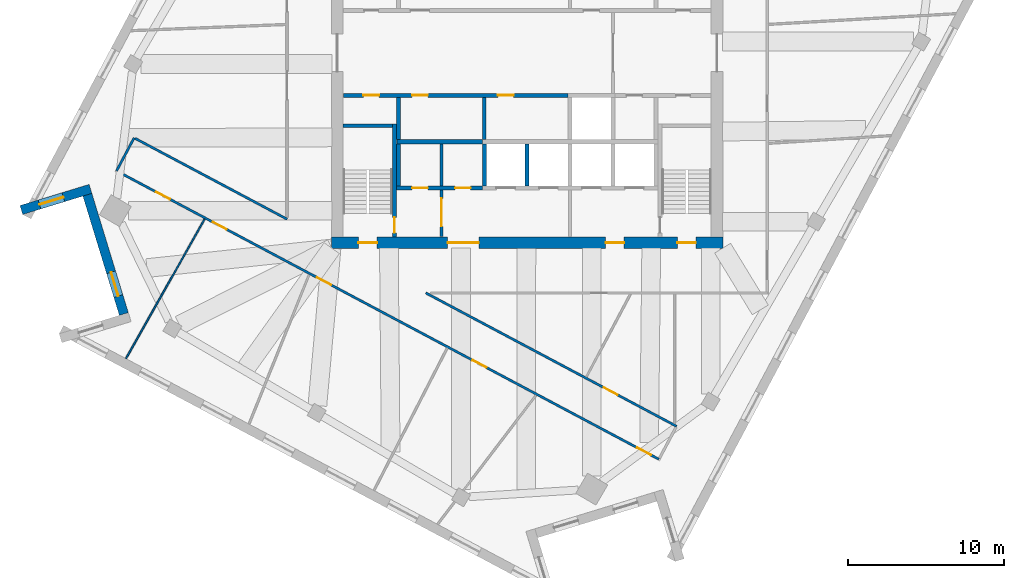
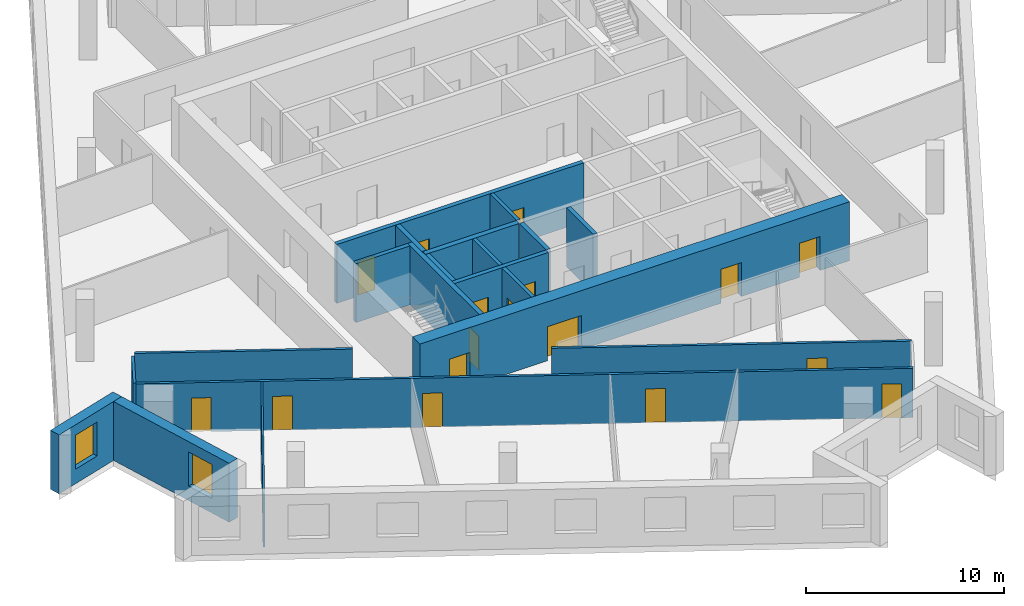
# One storey, part 6 of 13: 20 walls, 17 doors, 2 windows, 19 openings.
"""IFC4 building model written with IfcOpenShell, lengths in metres."""

from ifc_helpers import new_model, si_unit, direction, frame, frame_2d, origin, place, context, subcontext, project, spatial, rectangle, extrude, material, layer, layer_set, type_object, element, fill, save


model = new_model("IFC4")

# Units and contexts
model_context = context("Model", 3, precision=1e-05, world=origin(), true_north=direction((0.0, 1.0)))
body_context = subcontext(model_context, "Body", "Model", "MODEL_VIEW")
ifc_project = project(units=[si_unit("LENGTHUNIT", "METRE"), si_unit("AREAUNIT", "SQUARE_METRE"), si_unit("VOLUMEUNIT", "CUBIC_METRE"), si_unit("PLANEANGLEUNIT", "RADIAN"), si_unit("MASSUNIT", "GRAM", prefix="KILO")], contexts=[model_context])

# Site, building, storey
site_placement = place(None, origin())
site = spatial("IfcSite", under=ifc_project, at=site_placement, CompositionType="ELEMENT")
building_placement = place(site_placement, origin())
building = spatial("IfcBuilding", under=site, at=building_placement, Name="Dilmun Exchange Tower", CompositionType="ELEMENT")
storey_placement = place(building_placement, frame((0.0, 0.0, 274.89990234375)))
storey = spatial("IfcBuildingStorey", under=building, at=storey_placement, Name="L65", CompositionType="ELEMENT", Elevation=274.89990234375)

# Wall, opening, door
ifc_material_1 = material(Name="Concrete C40/50", Category="concrete")
ifc_layer_1 = layer(ifc_material_1, 0.199951171875)
ifc_layer_set_1 = layer_set([ifc_layer_1], Name="Concrete C40/50")
wall_type_1 = type_object("IfcWallType", Name="Core partition wall 200", PredefinedType="PARTITIONING", material=ifc_layer_set_1)
wall_1_placement = place(storey_placement, frame((-5.5, -11.794921875, 0.0), z_axis=(0.0, 0.0, 1.0), x_axis=(0.0, 1.0, 0.0)))
wall_1 = element("IfcWall", 1, at=wall_1_placement, inside=storey, type_object=wall_type_1, Name="L65 core partition wall 01", PredefinedType="PARTITIONING", context=body_context, shape_type="SweptSolid", body=[
    extrude(rectangle(XDim=2.989990234375, YDim=0.199951171875, at=frame_2d((1.4951171875, 0.0))), origin(), (0.0, 0.0, 1.0), 3.64013671875),
])
opening_1_placement = place(wall_1_placement, frame((0.657470703125, 0.0, 0.0)))
opening_1 = element("IfcOpeningElement", 2, at=opening_1_placement, cuts=wall_1, Name="Opening CD5", PredefinedType="OPENING", context=body_context, shape_type="SweptSolid", body=[
    extrude(rectangle(XDim=1.800048828125, YDim=2.10009765625, at=frame_2d((0.89990234375, 1.050048828125))), frame((0.0, 0.10986328125, 0.0), z_axis=(0.0, -1.0, 0.0), x_axis=(1.0, 0.0, 0.0)), (0.0, 0.0, 1.0), 0.219970703125),
])
ifc_material_2 = material(Name="Fire-rated steel door set", Category="steel")
door_type_1 = type_object("IfcDoorType", Name="Stair exit door 1800x2100", OperationType="SINGLE_SWING_LEFT", PredefinedType="DOOR", material=ifc_material_2)
door_1_placement = place(opening_1_placement, origin())
door_1 = element("IfcDoor", 3, at=door_1_placement, inside=storey, type_object=door_type_1, Name="L65 door Service lobby east", OperationType="SINGLE_SWING_LEFT", OverallHeight=2.10009765625, OverallWidth=1.800048828125, PredefinedType="DOOR", context=body_context, shape_type="SweptSolid", body=[
    extrude(rectangle(XDim=1.800048828125, YDim=2.10009765625, at=frame_2d((0.89990234375, 1.050048828125))), frame((0.0, 0.02490234375, 0.0), z_axis=(0.0, -1.0, 0.0), x_axis=(1.0, 0.0, 0.0)), (0.0, 0.0, 1.0), 0.050048828125),
])
fill(opening_1, door_1)

# Walls
for number, where, z_axis, x_axis, name in (
    (4, (-5.5, -8.544921875, 0.0), (0.0, 0.0, 1.0), (0.0, 1.0, 0.0), "L65 core partition wall 05"),
    (5, (-2.75, -5.544921875, 0.0), (0.0, 0.0, 1.0), (0.0, 1.0, 0.0), "L65 core partition wall 08"),
):
    element("IfcWall", number, at=place(storey_placement, frame(where, z_axis=z_axis, x_axis=x_axis)), inside=storey, type_object=wall_type_1, Name=name, PredefinedType="PARTITIONING", context=body_context, shape_type="SweptSolid", body=[
        extrude(rectangle(XDim=2.68994140625, YDim=0.199951171875, at=frame_2d((1.344970703125, 0.0))), origin(), (0.0, 0.0, 1.0), 3.64013671875),
    ])

# Wall, openings, doors
ifc_layer_2 = layer(ifc_material_1, 0.25)
ifc_layer_set_2 = layer_set([ifc_layer_2], Name="Concrete C40/50")
wall_type_2 = type_object("IfcWallType", Name="Core partition wall 250", PredefinedType="PARTITIONING", material=ifc_layer_set_2)
wall_2_placement = place(storey_placement, frame((-8.3701171875, -8.675048828125, 0.0), z_axis=(0.0, 0.0, 1.0), x_axis=(1.0, 0.0, 0.0)))
wall_2 = element("IfcWall", 6, at=wall_2_placement, inside=storey, type_object=wall_type_2, Name="L65 core partition wall 03", PredefinedType="PARTITIONING", context=body_context, shape_type="SweptSolid", body=[
    extrude(rectangle(XDim=5.490234375, YDim=0.25, at=frame_2d((2.7451171875, 0.0))), origin(), (0.0, 0.0, 1.0), 3.64013671875),
])
opening_2_placement = place(wall_2_placement, frame((0.9951171875, 0.0, 0.0)))
opening_2 = element("IfcOpeningElement", 7, at=opening_2_placement, cuts=wall_2, Name="Opening CD4", PredefinedType="OPENING", context=body_context, shape_type="SweptSolid", body=[
    extrude(rectangle(XDim=1.0, YDim=2.10009765625, at=frame_2d((0.5, 1.050048828125))), frame((0.0, 0.135009765625, 0.0), z_axis=(0.0, -1.0, 0.0), x_axis=(1.0, 0.0, 0.0)), (0.0, 0.0, 1.0), 0.27001953125),
])
opening_3_placement = place(wall_2_placement, frame((3.7451171875, 0.0, 0.0)))
opening_3 = element("IfcOpeningElement", 8, at=opening_3_placement, cuts=wall_2, Name="Opening CD4", PredefinedType="OPENING", context=body_context, shape_type="SweptSolid", body=[
    extrude(rectangle(XDim=1.0, YDim=2.10009765625, at=frame_2d((0.5, 1.050048828125))), frame((0.0, 0.135009765625, 0.0), z_axis=(0.0, -1.0, 0.0), x_axis=(1.0, 0.0, 0.0)), (0.0, 0.0, 1.0), 0.27001953125),
])
door_type_2 = type_object("IfcDoorType", Name="Core room door 1000x2100", OperationType="SINGLE_SWING_LEFT", PredefinedType="DOOR", material=ifc_material_2)
door_2_placement = place(opening_2_placement, origin())
door_2 = element("IfcDoor", 9, at=door_2_placement, inside=storey, type_object=door_type_2, Name="L65 door Male WC", OperationType="SINGLE_SWING_RIGHT", OverallHeight=2.10009765625, OverallWidth=1.0, PredefinedType="DOOR", context=body_context, shape_type="SweptSolid", body=[
    extrude(rectangle(XDim=1.0, YDim=2.10009765625, at=frame_2d((0.5, 1.050048828125))), frame((0.0, 0.02490234375, 0.0), z_axis=(0.0, -1.0, 0.0), x_axis=(1.0, 0.0, 0.0)), (0.0, 0.0, 1.0), 0.050048828125),
])
fill(opening_2, door_2)
door_3_placement = place(opening_3_placement, origin())
door_3 = element("IfcDoor", 10, at=door_3_placement, inside=storey, type_object=door_type_2, Name="L65 door Female WC", OperationType="SINGLE_SWING_RIGHT", OverallHeight=2.10009765625, OverallWidth=1.0, PredefinedType="DOOR", context=body_context, shape_type="SweptSolid", body=[
    extrude(rectangle(XDim=1.0, YDim=2.10009765625, at=frame_2d((0.5, 1.050048828125))), frame((0.0, 0.02490234375, 0.0), z_axis=(0.0, -1.0, 0.0), x_axis=(1.0, 0.0, 0.0)), (0.0, 0.0, 1.0), 0.050048828125),
])
fill(opening_3, door_3)

# Walls
for number, where, z_axis, x_axis, name in (
    (11, (-8.25, -8.544921875, 0.0), (0.0, 0.0, 1.0), (0.0, 1.0, 0.0), "L65 core partition wall 04"),
    (12, (-8.25, -5.544921875, 0.0), (0.0, 0.0, 1.0), (0.0, 1.0, 0.0), "L65 core partition wall 07"),
):
    element("IfcWall", number, at=place(storey_placement, frame(where, z_axis=z_axis, x_axis=x_axis)), inside=storey, type_object=wall_type_2, Name=name, PredefinedType="PARTITIONING", context=body_context, shape_type="SweptSolid", body=[
        extrude(rectangle(XDim=2.68994140625, YDim=0.25, at=frame_2d((1.344970703125, 0.0))), origin(), (0.0, 0.0, 1.0), 3.64013671875),
    ])

# Wall, openings, doors
wall_3_placement = place(storey_placement, frame((-11.794921875, -2.72509765625, 0.0), z_axis=(0.0, 0.0, 1.0), x_axis=(1.0, 0.0, 0.0)))
wall_3 = element("IfcWall", 13, at=wall_3_placement, inside=storey, type_object=wall_type_2, Name="L65 core partition wall 10", PredefinedType="PARTITIONING", context=body_context, shape_type="SweptSolid", body=[
    extrude(rectangle(XDim=14.4150390625, YDim=0.25, at=frame_2d((7.20751953125, 0.0))), origin(), (0.0, 0.0, 1.0), 3.64013671875),
])
opening_4_placement = place(wall_3_placement, frame((1.294921875, 0.0, 0.0)))
opening_4 = element("IfcOpeningElement", 14, at=opening_4_placement, cuts=wall_3, Name="Opening CD4", PredefinedType="OPENING", context=body_context, shape_type="SweptSolid", body=[
    extrude(rectangle(XDim=1.0, YDim=2.10009765625, at=frame_2d((0.5, 1.050048828125))), frame((0.0, 0.135009765625, 0.0), z_axis=(0.0, -1.0, 0.0), x_axis=(1.0, 0.0, 0.0)), (0.0, 0.0, 1.0), 0.27001953125),
])
opening_5_placement = place(wall_3_placement, frame((4.419921875, 0.0, 0.0)))
opening_5 = element("IfcOpeningElement", 15, at=opening_5_placement, cuts=wall_3, Name="Opening CD4", PredefinedType="OPENING", context=body_context, shape_type="SweptSolid", body=[
    extrude(rectangle(XDim=1.0, YDim=2.10009765625, at=frame_2d((0.5, 1.050048828125))), frame((0.0, 0.135009765625, 0.0), z_axis=(0.0, -1.0, 0.0), x_axis=(1.0, 0.0, 0.0)), (0.0, 0.0, 1.0), 0.27001953125),
])
opening_6_placement = place(wall_3_placement, frame((9.919921875, 0.0, 0.0)))
opening_6 = element("IfcOpeningElement", 16, at=opening_6_placement, cuts=wall_3, Name="Opening CD4", PredefinedType="OPENING", context=body_context, shape_type="SweptSolid", body=[
    extrude(rectangle(XDim=1.0, YDim=2.10009765625, at=frame_2d((0.5, 1.050048828125))), frame((0.0, 0.135009765625, 0.0), z_axis=(0.0, -1.0, 0.0), x_axis=(1.0, 0.0, 0.0)), (0.0, 0.0, 1.0), 0.27001953125),
])
door_4_placement = place(opening_4_placement, origin())
door_4 = element("IfcDoor", 17, at=door_4_placement, inside=storey, type_object=door_type_2, Name="L65 door Accessible WC", OperationType="SINGLE_SWING_RIGHT", OverallHeight=2.10009765625, OverallWidth=1.0, PredefinedType="DOOR", context=body_context, shape_type="SweptSolid", body=[
    extrude(rectangle(XDim=1.0, YDim=2.10009765625, at=frame_2d((0.5, 1.050048828125))), frame((0.0, 0.02490234375, 0.0), z_axis=(0.0, -1.0, 0.0), x_axis=(1.0, 0.0, 0.0)), (0.0, 0.0, 1.0), 0.050048828125),
])
fill(opening_4, door_4)
door_5_placement = place(opening_5_placement, origin())
door_5 = element("IfcDoor", 18, at=door_5_placement, inside=storey, type_object=door_type_2, Name="L65 door Switch room", OperationType="SINGLE_SWING_RIGHT", OverallHeight=2.10009765625, OverallWidth=1.0, PredefinedType="DOOR", context=body_context, shape_type="SweptSolid", body=[
    extrude(rectangle(XDim=1.0, YDim=2.10009765625, at=frame_2d((0.5, 1.050048828125))), frame((0.0, 0.02490234375, 0.0), z_axis=(0.0, -1.0, 0.0), x_axis=(1.0, 0.0, 0.0)), (0.0, 0.0, 1.0), 0.050048828125),
])
fill(opening_5, door_5)
door_6_placement = place(opening_6_placement, origin())
door_6 = element("IfcDoor", 19, at=door_6_placement, inside=storey, type_object=door_type_2, Name="L65 door Print and mail room", OperationType="SINGLE_SWING_RIGHT", OverallHeight=2.10009765625, OverallWidth=1.0, PredefinedType="DOOR", context=body_context, shape_type="SweptSolid", body=[
    extrude(rectangle(XDim=1.0, YDim=2.10009765625, at=frame_2d((0.5, 1.050048828125))), frame((0.0, 0.02490234375, 0.0), z_axis=(0.0, -1.0, 0.0), x_axis=(1.0, 0.0, 0.0)), (0.0, 0.0, 1.0), 0.050048828125),
])
fill(opening_6, door_6)

# Wall
ifc_layer_3 = layer(ifc_material_1, 0.300048828125)
ifc_layer_set_3 = layer_set([ifc_layer_3], Name="Concrete C40/50")
wall_type_3 = type_object("IfcWallType", Name="Core partition wall 300", PredefinedType="PARTITIONING", material=ifc_layer_set_3)
wall_4_placement = place(storey_placement, frame((-8.35009765625, -5.699951171875, 0.0), z_axis=(0.0, 0.0, 1.0), x_axis=(1.0, 0.0, 0.0)))
element("IfcWall", 20, at=wall_4_placement, inside=storey, type_object=wall_type_3, Name="L65 core partition wall 06", PredefinedType="PARTITIONING", context=body_context, shape_type="SweptSolid", body=[
    extrude(rectangle(XDim=5.47021484375, YDim=0.300048828125, at=frame_2d((2.735107421875, 0.0))), origin(), (0.0, 0.0, 1.0), 3.64013671875),
])

# Wall, openings, doors
ifc_material_3 = material(Name="Concrete C50/60", Category="concrete")
ifc_layer_4 = layer(ifc_material_3, 0.75)
ifc_layer_set_4 = layer_set([ifc_layer_4], Name="Concrete C50/60")
wall_type_4 = type_object("IfcWallType", Name="Core shear wall 750 Concrete C50/60", PredefinedType="SHEAR", material=ifc_layer_set_4)
wall_5_placement = place(storey_placement, frame((-12.550048828125, -12.175048828125, 0.0), z_axis=(0.0, 0.0, 1.0), x_axis=(1.0, 0.0, 0.0)))
wall_5 = element("IfcWall", 21, at=wall_5_placement, inside=storey, type_object=wall_type_4, Name="L65 core shear wall S", PredefinedType="SHEAR", context=body_context, shape_type="SweptSolid", body=[
    extrude(rectangle(XDim=25.10009765625, YDim=0.75, at=frame_2d((12.550048828125, 0.0))), origin(), (0.0, 0.0, 1.0), 3.64013671875),
])
opening_7_placement = place(wall_5_placement, frame((7.449951171875, 0.0, 0.0)))
opening_7 = element("IfcOpeningElement", 22, at=opening_7_placement, cuts=wall_5, Name="Opening CD2", PredefinedType="OPENING", context=body_context, shape_type="SweptSolid", body=[
    extrude(rectangle(XDim=2.0, YDim=2.10009765625, at=frame_2d((1.0, 1.050048828125))), frame((0.0, 0.385009765625, 0.0), z_axis=(0.0, -1.0, 0.0), x_axis=(1.0, 0.0, 0.0)), (0.0, 0.0, 1.0), 0.77001953125),
])
opening_8_placement = place(wall_5_placement, frame((17.574951171875, 0.0, 0.0)))
opening_8 = element("IfcOpeningElement", 23, at=opening_8_placement, cuts=wall_5, Name="Opening CD3", PredefinedType="OPENING", context=body_context, shape_type="SweptSolid", body=[
    extrude(rectangle(XDim=1.199951171875, YDim=2.10009765625, at=frame_2d((0.60009765625, 1.050048828125))), frame((0.0, 0.385009765625, 0.0), z_axis=(0.0, -1.0, 0.0), x_axis=(1.0, 0.0, 0.0)), (0.0, 0.0, 1.0), 0.77001953125),
])
opening_9_placement = place(wall_5_placement, frame((1.72509765625, 0.0, 0.0)))
opening_9 = element("IfcOpeningElement", 24, at=opening_9_placement, cuts=wall_5, Name="Opening CD3", PredefinedType="OPENING", context=body_context, shape_type="SweptSolid", body=[
    extrude(rectangle(XDim=1.199951171875, YDim=2.10009765625, at=frame_2d((0.60009765625, 1.050048828125))), frame((0.0, 0.385009765625, 0.0), z_axis=(0.0, -1.0, 0.0), x_axis=(1.0, 0.0, 0.0)), (0.0, 0.0, 1.0), 0.77001953125),
])
opening_10_placement = place(wall_5_placement, frame((22.175048828125, 0.0, 0.0)))
opening_10 = element("IfcOpeningElement", 25, at=opening_10_placement, cuts=wall_5, Name="Opening CD3", PredefinedType="OPENING", context=body_context, shape_type="SweptSolid", body=[
    extrude(rectangle(XDim=1.199951171875, YDim=2.10009765625, at=frame_2d((0.60009765625, 1.050048828125))), frame((0.0, 0.385009765625, 0.0), z_axis=(0.0, -1.0, 0.0), x_axis=(1.0, 0.0, 0.0)), (0.0, 0.0, 1.0), 0.77001953125),
])
door_type_3 = type_object("IfcDoorType", Name="Core service door 2000x2100", OperationType="DOUBLE_DOOR_DOUBLE_SWING", PredefinedType="DOOR", material=ifc_material_2)
door_7_placement = place(opening_7_placement, origin())
door_7 = element("IfcDoor", 26, at=door_7_placement, inside=storey, type_object=door_type_3, Name="L65 door South service lobby", OperationType="SINGLE_SWING_LEFT", OverallHeight=2.10009765625, OverallWidth=2.0, PredefinedType="DOOR", context=body_context, shape_type="SweptSolid", body=[
    extrude(rectangle(XDim=2.0, YDim=2.10009765625, at=frame_2d((1.0, 1.050048828125))), frame((0.0, 0.02490234375, 0.0), z_axis=(0.0, -1.0, 0.0), x_axis=(1.0, 0.0, 0.0)), (0.0, 0.0, 1.0), 0.050048828125),
])
fill(opening_7, door_7)
door_type_4 = type_object("IfcDoorType", Name="Stair exit door 1200x2100", OperationType="SINGLE_SWING_LEFT", PredefinedType="DOOR", material=ifc_material_2)
door_8_placement = place(opening_8_placement, origin())
door_8 = element("IfcDoor", 27, at=door_8_placement, inside=storey, type_object=door_type_4, Name="L65 door Fire-fighting lobby", OperationType="SINGLE_SWING_LEFT", OverallHeight=2.10009765625, OverallWidth=1.199951171875, PredefinedType="DOOR", context=body_context, shape_type="SweptSolid", body=[
    extrude(rectangle(XDim=1.199951171875, YDim=2.10009765625, at=frame_2d((0.60009765625, 1.050048828125))), frame((0.0, 0.02490234375, 0.0), z_axis=(0.0, -1.0, 0.0), x_axis=(1.0, 0.0, 0.0)), (0.0, 0.0, 1.0), 0.050048828125),
])
fill(opening_8, door_8)
door_9_placement = place(opening_9_placement, origin())
door_9 = element("IfcDoor", 28, at=door_9_placement, inside=storey, type_object=door_type_4, Name="L65 door Stair ST2", OperationType="SINGLE_SWING_LEFT", OverallHeight=2.10009765625, OverallWidth=1.199951171875, PredefinedType="DOOR", context=body_context, shape_type="SweptSolid", body=[
    extrude(rectangle(XDim=1.199951171875, YDim=2.10009765625, at=frame_2d((0.60009765625, 1.050048828125))), frame((0.0, 0.02490234375, 0.0), z_axis=(0.0, -1.0, 0.0), x_axis=(1.0, 0.0, 0.0)), (0.0, 0.0, 1.0), 0.050048828125),
])
fill(opening_9, door_9)
door_10_placement = place(opening_10_placement, origin())
door_10 = element("IfcDoor", 29, at=door_10_placement, inside=storey, type_object=door_type_4, Name="L65 door Stair ST3", OperationType="SINGLE_SWING_LEFT", OverallHeight=2.10009765625, OverallWidth=1.199951171875, PredefinedType="DOOR", context=body_context, shape_type="SweptSolid", body=[
    extrude(rectangle(XDim=1.199951171875, YDim=2.10009765625, at=frame_2d((0.60009765625, 1.050048828125))), frame((0.0, 0.02490234375, 0.0), z_axis=(0.0, -1.0, 0.0), x_axis=(1.0, 0.0, 0.0)), (0.0, 0.0, 1.0), 0.050048828125),
])
fill(opening_10, door_10)

# Wall
ifc_material_4 = material(Name="Corridor wall 150")
ifc_layer_5 = layer(ifc_material_4, 0.14990234375)
ifc_layer_set_5 = layer_set([ifc_layer_5], Name="Corridor wall 150")
wall_type_5 = type_object("IfcWallType", Name="Corridor wall 150", PredefinedType="PARTITIONING", material=ifc_layer_set_5)
wall_6_placement = place(storey_placement, frame((-26.3369140625, -7.571044921875, 0.0), z_axis=(0.0, 0.0, 1.0), x_axis=(0.469531998299, 0.882915456073, 0.0)))
element("IfcWall", 30, at=wall_6_placement, inside=storey, type_object=wall_type_5, Name="Corridor wall", PredefinedType="PARTITIONING", context=body_context, shape_type="SweptSolid", body=[
    extrude(rectangle(XDim=2.400146484375, YDim=0.14990234375, at=frame_2d((1.2001953125, 0.0))), origin(), (0.0, 0.0, 1.0), 3.0400390625),
])

# Wall, openings, doors
wall_7_placement = place(storey_placement, frame((-26.270751953125, -7.606201171875, 0.0), z_axis=(0.0, 0.0, 1.0), x_axis=(0.882946860375, -0.469472940385, 0.0)))
wall_7 = element("IfcWall", 31, at=wall_7_placement, inside=storey, type_object=wall_type_5, Name="Corridor wall", PredefinedType="PARTITIONING", context=body_context, shape_type="SweptSolid", body=[
    extrude(rectangle(XDim=39.32470703125, YDim=0.14990234375, at=frame_2d((19.662353515625, 0.0))), origin(), (0.0, 0.0, 1.0), 3.0400390625),
])
opening_11_placement = place(wall_7_placement, frame((2.800048828125, 0.0, 0.0)))
opening_11 = element("IfcOpeningElement", 32, at=opening_11_placement, cuts=wall_7, Name="Opening TF65-D02", PredefinedType="OPENING", context=body_context, shape_type="SweptSolid", body=[
    extrude(rectangle(XDim=1.0, YDim=2.10009765625, at=frame_2d((0.5, 1.050048828125))), frame((0.0, 0.0849609375, 0.0), z_axis=(0.0, -1.0, 0.0), x_axis=(1.0, 0.0, 0.0)), (0.0, 0.0, 1.0), 0.169921875),
])
opening_12_placement = place(wall_7_placement, frame((6.914794921875, 0.0, 0.0)))
opening_12 = element("IfcOpeningElement", 33, at=opening_12_placement, cuts=wall_7, Name="Opening TF65-D04", PredefinedType="OPENING", context=body_context, shape_type="SweptSolid", body=[
    extrude(rectangle(XDim=1.0, YDim=2.10009765625, at=frame_2d((0.5, 1.050048828125))), frame((0.0, 0.0849609375, 0.0), z_axis=(0.0, -1.0, 0.0), x_axis=(1.0, 0.0, 0.0)), (0.0, 0.0, 1.0), 0.169921875),
])
opening_13_placement = place(wall_7_placement, frame((14.498779296875, 0.0, 0.0)))
opening_13 = element("IfcOpeningElement", 34, at=opening_13_placement, cuts=wall_7, Name="Opening TF65-D05", PredefinedType="OPENING", context=body_context, shape_type="SweptSolid", body=[
    extrude(rectangle(XDim=1.0, YDim=2.10009765625, at=frame_2d((0.5, 1.050048828125))), frame((0.0, 0.0849609375, 0.0), z_axis=(0.0, -1.0, 0.0), x_axis=(1.0, 0.0, 0.0)), (0.0, 0.0, 1.0), 0.169921875),
])
opening_14_placement = place(wall_7_placement, frame((25.784912109375, 0.0, 0.0)))
opening_14 = element("IfcOpeningElement", 35, at=opening_14_placement, cuts=wall_7, Name="Opening TF65-D09", PredefinedType="OPENING", context=body_context, shape_type="SweptSolid", body=[
    extrude(rectangle(XDim=1.0, YDim=2.10009765625, at=frame_2d((0.5, 1.050048828125))), frame((0.0, 0.0849609375, 0.0), z_axis=(0.0, -1.0, 0.0), x_axis=(1.0, 0.0, 0.0)), (0.0, 0.0, 1.0), 0.169921875),
])
opening_15_placement = place(wall_7_placement, frame((37.74072265625, 0.0, 0.0)))
opening_15 = element("IfcOpeningElement", 36, at=opening_15_placement, cuts=wall_7, Name="Opening TF65-D15", PredefinedType="OPENING", context=body_context, shape_type="SweptSolid", body=[
    extrude(rectangle(XDim=1.0, YDim=2.10009765625, at=frame_2d((0.5, 1.050048828125))), frame((0.0, 0.0849609375, 0.0), z_axis=(0.0, -1.0, 0.0), x_axis=(1.0, 0.0, 0.0)), (0.0, 0.0, 1.0), 0.169921875),
])
ifc_material_5 = material(Name="Fire door 1000 x 2100")
door_type_5 = type_object("IfcDoorType", Name="Fire door 1000 x 2100", OperationType="NOTDEFINED", PredefinedType="DOOR", material=ifc_material_5)
door_11_placement = place(opening_11_placement, frame((1.0, 0.0, 0.0), z_axis=(0.0, 0.0, 1.0), x_axis=(-1.0, 0.0, 0.0)))
door_11 = element("IfcDoor", 37, at=door_11_placement, inside=storey, type_object=door_type_5, Name="Door TF65-D02", OperationType="SINGLE_SWING_LEFT", OverallHeight=2.10009765625, OverallWidth=1.0, PredefinedType="DOOR", context=body_context, shape_type="SweptSolid", body=[
    extrude(rectangle(XDim=1.0, YDim=2.10009765625, at=frame_2d((0.5, 1.050048828125))), frame((0.0, 0.02490234375, 0.0), z_axis=(0.0, -1.0, 0.0), x_axis=(1.0, 0.0, 0.0)), (0.0, 0.0, 1.0), 0.050048828125),
])
fill(opening_11, door_11)
door_12_placement = place(opening_12_placement, frame((1.0, 0.0, 0.0), z_axis=(0.0, 0.0, 1.0), x_axis=(-1.0, 0.0, 0.0)))
door_12 = element("IfcDoor", 38, at=door_12_placement, inside=storey, type_object=door_type_5, Name="Door TF65-D04", OperationType="SINGLE_SWING_RIGHT", OverallHeight=2.10009765625, OverallWidth=1.0, PredefinedType="DOOR", context=body_context, shape_type="SweptSolid", body=[
    extrude(rectangle(XDim=1.0, YDim=2.10009765625, at=frame_2d((0.5, 1.050048828125))), frame((0.0, 0.02490234375, 0.0), z_axis=(0.0, -1.0, 0.0), x_axis=(1.0, 0.0, 0.0)), (0.0, 0.0, 1.0), 0.050048828125),
])
fill(opening_12, door_12)
door_13_placement = place(opening_13_placement, frame((1.0, 0.0, 0.0), z_axis=(0.0, 0.0, 1.0), x_axis=(-1.0, 0.0, 0.0)))
door_13 = element("IfcDoor", 39, at=door_13_placement, inside=storey, type_object=door_type_5, Name="Door TF65-D05", OperationType="SINGLE_SWING_RIGHT", OverallHeight=2.10009765625, OverallWidth=1.0, PredefinedType="DOOR", context=body_context, shape_type="SweptSolid", body=[
    extrude(rectangle(XDim=1.0, YDim=2.10009765625, at=frame_2d((0.5, 1.050048828125))), frame((0.0, 0.02490234375, 0.0), z_axis=(0.0, -1.0, 0.0), x_axis=(1.0, 0.0, 0.0)), (0.0, 0.0, 1.0), 0.050048828125),
])
fill(opening_13, door_13)
door_14_placement = place(opening_14_placement, frame((1.0, 0.0, 0.0), z_axis=(0.0, 0.0, 1.0), x_axis=(-1.0, 0.0, 0.0)))
door_14 = element("IfcDoor", 40, at=door_14_placement, inside=storey, type_object=door_type_5, Name="Door TF65-D09", OperationType="SINGLE_SWING_LEFT", OverallHeight=2.10009765625, OverallWidth=1.0, PredefinedType="DOOR", context=body_context, shape_type="SweptSolid", body=[
    extrude(rectangle(XDim=1.0, YDim=2.10009765625, at=frame_2d((0.5, 1.050048828125))), frame((0.0, 0.02490234375, 0.0), z_axis=(0.0, -1.0, 0.0), x_axis=(1.0, 0.0, 0.0)), (0.0, 0.0, 1.0), 0.050048828125),
])
fill(opening_14, door_14)
door_15_placement = place(opening_15_placement, frame((1.0, 0.0, 0.0), z_axis=(0.0, 0.0, 1.0), x_axis=(-1.0, 0.0, 0.0)))
door_15 = element("IfcDoor", 41, at=door_15_placement, inside=storey, type_object=door_type_5, Name="Door TF65-D15", OperationType="SINGLE_SWING_LEFT", OverallHeight=2.10009765625, OverallWidth=1.0, PredefinedType="DOOR", context=body_context, shape_type="SweptSolid", body=[
    extrude(rectangle(XDim=1.0, YDim=2.10009765625, at=frame_2d((0.5, 1.050048828125))), frame((0.0, 0.02490234375, 0.0), z_axis=(0.0, -1.0, 0.0), x_axis=(1.0, 0.0, 0.0)), (0.0, 0.0, 1.0), 0.050048828125),
])
fill(opening_15, door_15)

# Wall
wall_8_placement = place(storey_placement, frame((-25.143798828125, -5.4873046875, 0.0), z_axis=(0.0, 0.0, 1.0), x_axis=(0.882957268676, -0.469453364769, 0.0)))
element("IfcWall", 42, at=wall_8_placement, inside=storey, type_object=wall_type_5, Name="Corridor wall", PredefinedType="PARTITIONING", context=body_context, shape_type="SweptSolid", body=[
    extrude(rectangle(XDim=11.03564453125, YDim=0.14990234375, at=frame_2d((5.517822265625, 0.0))), origin(), (0.0, 0.0, 1.0), 3.239990234375),
])

# Wall, opening, door
wall_9_placement = place(storey_placement, frame((-6.5009765625, -15.39990234375, 0.0), z_axis=(0.0, 0.0, 1.0), x_axis=(0.882952324659, -0.469462663456, 0.0)))
wall_9 = element("IfcWall", 43, at=wall_9_placement, inside=storey, type_object=wall_type_5, Name="Corridor wall", PredefinedType="PARTITIONING", context=body_context, shape_type="SweptSolid", body=[
    extrude(rectangle(XDim=18.21044921875, YDim=0.14990234375, at=frame_2d((9.105224609375, 0.0))), origin(), (0.0, 0.0, 1.0), 3.0400390625),
])
opening_16_placement = place(wall_9_placement, frame((12.923583984375, 0.0, 0.0)))
opening_16 = element("IfcOpeningElement", 44, at=opening_16_placement, cuts=wall_9, Name="Opening TF65-D13", PredefinedType="OPENING", context=body_context, shape_type="SweptSolid", body=[
    extrude(rectangle(XDim=1.0, YDim=2.10009765625, at=frame_2d((0.5, 1.050048828125))), frame((0.0, 0.0849609375, 0.0), z_axis=(0.0, -1.0, 0.0), x_axis=(1.0, 0.0, 0.0)), (0.0, 0.0, 1.0), 0.169921875),
])
door_16_placement = place(opening_16_placement, origin())
door_16 = element("IfcDoor", 45, at=door_16_placement, inside=storey, type_object=door_type_5, Name="Door TF65-D13", OperationType="SINGLE_SWING_RIGHT", OverallHeight=2.10009765625, OverallWidth=1.0, PredefinedType="DOOR", context=body_context, shape_type="SweptSolid", body=[
    extrude(rectangle(XDim=1.0, YDim=2.10009765625, at=frame_2d((0.5, 1.050048828125))), frame((0.0, 0.02490234375, 0.0), z_axis=(0.0, -1.0, 0.0), x_axis=(1.0, 0.0, 0.0)), (0.0, 0.0, 1.0), 0.050048828125),
])
fill(opening_16, door_16)

# Walls
ifc_layer_6 = layer(ifc_material_1, 0.25)
ifc_layer_set_6 = layer_set([ifc_layer_6], Name="Concrete C40/50")
wall_type_6 = type_object("IfcWallType", Name="Lift shaft wall 250", PredefinedType="SOLIDWALL", material=ifc_layer_set_6)
for number, where, z_axis, x_axis, name in (
    (46, (-2.75, -8.550048828125, 0.0), (0.0, 0.0, 1.0), (0.0, 1.0, 0.0), "L65 lift shaft divider S22"),
    (47, (0.0, -8.550048828125, 0.0), (0.0, 0.0, 1.0), (0.0, 1.0, 0.0), "L65 lift shaft divider S23"),
):
    element("IfcWall", number, at=place(storey_placement, frame(where, z_axis=z_axis, x_axis=x_axis)), inside=storey, type_object=wall_type_6, Name=name, PredefinedType="SOLIDWALL", context=body_context, shape_type="SweptSolid", body=[
        extrude(rectangle(XDim=2.699951171875, YDim=0.25, at=frame_2d((1.35009765625, 0.0))), origin(), (0.0, 0.0, 1.0), 3.64013671875),
    ])
ifc_material_6 = material(Name="Partition 100")
ifc_layer_7 = layer(ifc_material_6, 0.10009765625)
ifc_layer_set_7 = layer_set([ifc_layer_7], Name="Partition 100")
wall_type_7 = type_object("IfcWallType", Name="Partition 100", PredefinedType="PARTITIONING", material=ifc_layer_set_7)
wall_10_placement = place(storey_placement, frame((-25.737060546875, -19.610595703125, 0.0), z_axis=(0.0, 0.0, 1.0), x_axis=(0.491415925423, 0.870925018725, 0.0)))
element("IfcWall", 48, at=wall_10_placement, inside=storey, type_object=wall_type_7, Name="Partition", PredefinedType="PARTITIONING", context=body_context, shape_type="SweptSolid", body=[
    extrude(rectangle(XDim=10.275634765625, YDim=0.10009765625, at=frame_2d((5.1376953125, 0.0))), origin(), (0.0, 0.0, 1.0), 3.0400390625),
])

# Wall, opening, window
ifc_material_7 = material(Name="Precast concrete C50/60", Category="concrete")
ifc_layer_8 = layer(ifc_material_7, 0.60009765625)
ifc_layer_set_8 = layer_set([ifc_layer_8], Name="Precast concrete C50/60")
wall_type_8 = type_object("IfcWallType", Name="Precast stone-clad wall 600", PredefinedType="STANDARD", material=ifc_layer_set_8)
wall_11_placement = place(storey_placement, frame((-32.44189453125, -10.080322265625, 0.0), z_axis=(0.0, 0.0, 1.0), x_axis=(0.956306994041, 0.2923643842, 0.0)))
wall_11 = element("IfcWall", 49, at=wall_11_placement, inside=storey, type_object=wall_type_8, Name="Facade wall L65-04", PredefinedType="STANDARD", context=body_context, shape_type="SweptSolid", body=[
    extrude(rectangle(XDim=4.635498046875, YDim=0.60009765625, at=frame_2d((2.31787109375, 0.0))), origin(), (0.0, 0.0, 1.0), 3.64013671875),
])
opening_17_placement = place(wall_11_placement, frame((1.2177734375, 0.0, 0.89990234375)))
opening_17 = element("IfcOpeningElement", 50, at=opening_17_placement, cuts=wall_11, Name="Opening W160-210", PredefinedType="OPENING", context=body_context, shape_type="SweptSolid", body=[
    extrude(rectangle(XDim=1.60009765625, YDim=2.10009765625, at=frame_2d((0.800048828125, 1.050048828125))), frame((0.0, 0.31005859375, 0.0), z_axis=(0.0, -1.0, 0.0), x_axis=(1.0, 0.0, 0.0)), (0.0, 0.0, 1.0), 0.6201171875),
])
ifc_material_8 = material(Name="Clear low-emissivity glass in aluminium frame", Category="aluminium")
window_type = type_object("IfcWindowType", Name="Punched window 1600 x 2100", PartitioningType="DOUBLE_PANEL_VERTICAL", PredefinedType="WINDOW", material=ifc_material_8)
window_1_placement = place(opening_17_placement, origin())
window_1 = element("IfcWindow", 51, at=window_1_placement, inside=storey, type_object=window_type, Name="Window 5.1", OverallHeight=2.10009765625, OverallWidth=1.60009765625, PartitioningType="SINGLE_PANEL", PredefinedType="WINDOW", context=body_context, shape_type="SweptSolid", body=[
    extrude(rectangle(XDim=1.60009765625, YDim=2.10009765625, at=frame_2d((0.800048828125, 1.050048828125))), frame((0.0, 0.030029296875, 0.0), z_axis=(0.0, -1.0, 0.0), x_axis=(1.0, 0.0, 0.0)), (0.0, 0.0, 1.0), 0.06005859375),
])
fill(opening_17, window_1)

wall_12_placement = place(storey_placement, frame((-28.208251953125, -9.099609375, 0.0), z_axis=(0.0, 0.0, 1.0), x_axis=(0.292389102139, -0.956299436866, 0.0)))
wall_12 = element("IfcWall", 52, at=wall_12_placement, inside=storey, type_object=wall_type_8, Name="Facade wall L65-05", PredefinedType="STANDARD", context=body_context, shape_type="SweptSolid", body=[
    extrude(rectangle(XDim=8.0, YDim=0.60009765625, at=frame_2d((4.0, 0.0))), origin(), (0.0, 0.0, 1.0), 3.64013671875),
])
opening_18_placement = place(wall_12_placement, frame((5.199951171875, 0.0, 0.89990234375)))
opening_18 = element("IfcOpeningElement", 53, at=opening_18_placement, cuts=wall_12, Name="Opening W160-210", PredefinedType="OPENING", context=body_context, shape_type="SweptSolid", body=[
    extrude(rectangle(XDim=1.60009765625, YDim=2.10009765625, at=frame_2d((0.800048828125, 1.050048828125))), frame((0.0, 0.31005859375, 0.0), z_axis=(0.0, -1.0, 0.0), x_axis=(1.0, 0.0, 0.0)), (0.0, 0.0, 1.0), 0.6201171875),
])
window_2_placement = place(opening_18_placement, origin())
window_2 = element("IfcWindow", 54, at=window_2_placement, inside=storey, type_object=window_type, Name="Window 6.2", OverallHeight=2.10009765625, OverallWidth=1.60009765625, PartitioningType="SINGLE_PANEL", PredefinedType="WINDOW", context=body_context, shape_type="SweptSolid", body=[
    extrude(rectangle(XDim=1.60009765625, YDim=2.10009765625, at=frame_2d((0.800048828125, 1.050048828125))), frame((0.0, 0.030029296875, 0.0), z_axis=(0.0, -1.0, 0.0), x_axis=(1.0, 0.0, 0.0)), (0.0, 0.0, 1.0), 0.06005859375),
])
fill(opening_18, window_2)

# Wall
ifc_layer_9 = layer(ifc_material_1, 0.25)
ifc_layer_set_9 = layer_set([ifc_layer_9], Name="Concrete C40/50")
wall_type_9 = type_object("IfcWallType", Name="Stair end wall 250", PredefinedType="SOLIDWALL", material=ifc_layer_set_9)
wall_13_placement = place(storey_placement, frame((-8.64990234375, -4.675048828125, 0.0), z_axis=(0.0, 0.0, 1.0), x_axis=(-1.0, 0.0, 0.0)))
element("IfcWall", 55, at=wall_13_placement, inside=storey, type_object=wall_type_9, Name="L65 ST2 far wall", PredefinedType="SOLIDWALL", context=body_context, shape_type="SweptSolid", body=[
    extrude(rectangle(XDim=3.150146484375, YDim=0.25, at=frame_2d((1.5751953125, 0.0))), origin(), (0.0, 0.0, 1.0), 3.64013671875),
])

# Wall, opening, door
ifc_layer_10 = layer(ifc_material_1, 0.27490234375)
ifc_layer_set_10 = layer_set([ifc_layer_10], Name="Concrete C40/50")
wall_type_10 = type_object("IfcWallType", Name="Stair wall 275", PredefinedType="SOLIDWALL", material=ifc_layer_set_10)
wall_14_placement = place(storey_placement, frame((-8.512451171875, -4.550048828125, 0.0), z_axis=(0.0, 0.0, 1.0), x_axis=(0.0, -1.0, 0.0)))
wall_14 = element("IfcWall", 56, at=wall_14_placement, inside=storey, type_object=wall_type_10, Name="L65 ST2 wall to lift block", PredefinedType="SOLIDWALL", context=body_context, shape_type="SweptSolid", body=[
    extrude(rectangle(XDim=7.25, YDim=0.27490234375, at=frame_2d((3.625, 0.0))), origin(), (0.0, 0.0, 1.0), 3.64013671875),
])
opening_19_placement = place(wall_14_placement, frame((6.0, 0.0, 0.0)))
opening_19 = element("IfcOpeningElement", 57, at=opening_19_placement, cuts=wall_14, Name="Opening CD4", PredefinedType="OPENING", context=body_context, shape_type="SweptSolid", body=[
    extrude(rectangle(XDim=1.0, YDim=2.10009765625, at=frame_2d((0.5, 1.050048828125))), frame((0.0, 0.1474609375, 0.0), z_axis=(0.0, -1.0, 0.0), x_axis=(1.0, 0.0, 0.0)), (0.0, 0.0, 1.0), 0.294921875),
])
door_17_placement = place(opening_19_placement, origin())
door_17 = element("IfcDoor", 58, at=door_17_placement, inside=storey, type_object=door_type_2, Name="L65 door ST2 from lobby", OperationType="SINGLE_SWING_LEFT", OverallHeight=2.10009765625, OverallWidth=1.0, PredefinedType="DOOR", context=body_context, shape_type="SweptSolid", body=[
    extrude(rectangle(XDim=1.0, YDim=2.10009765625, at=frame_2d((0.5, 1.050048828125))), frame((0.0, 0.02490234375, 0.0), z_axis=(0.0, -1.0, 0.0), x_axis=(1.0, 0.0, 0.0)), (0.0, 0.0, 1.0), 0.050048828125),
])
fill(opening_19, door_17)

save(model, "model.ifc")
